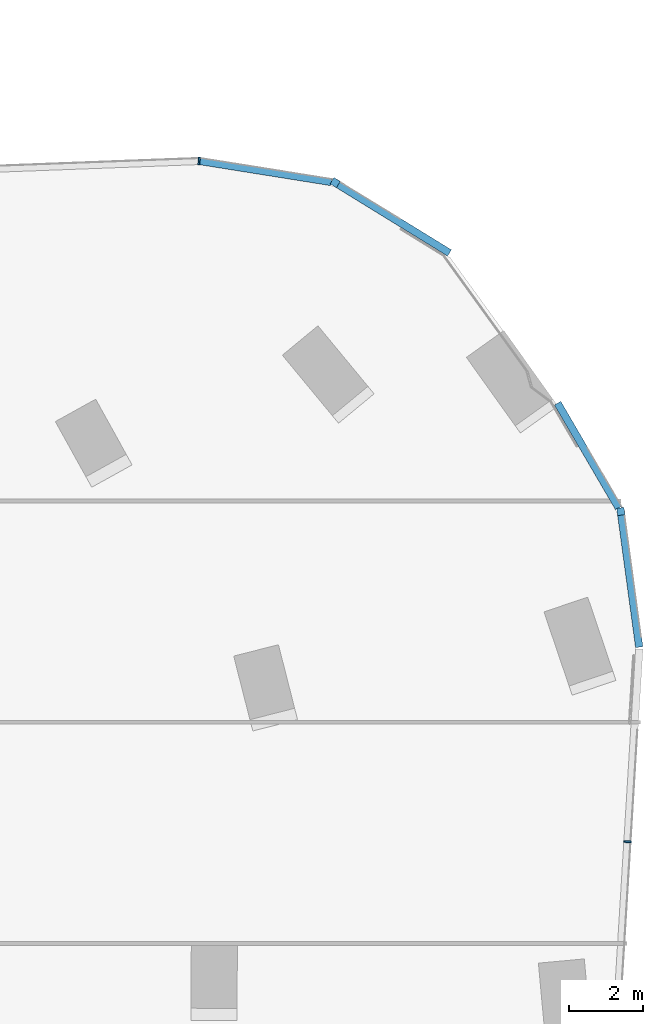
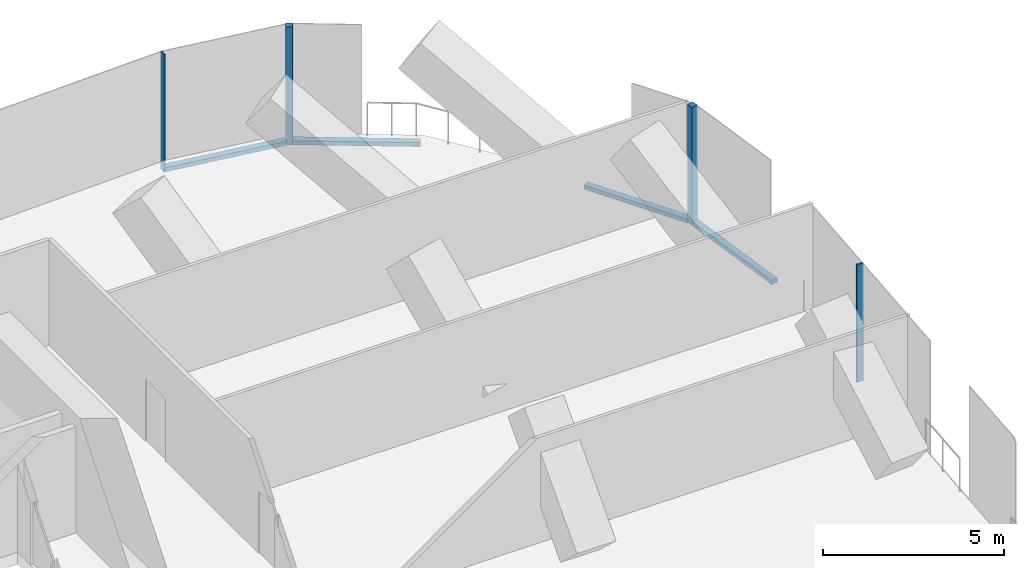
# One storey, part 12 of 28: 8 members, 5 elements without a shape of their own.
"""IFC4 building model written with IfcOpenShell, lengths in metres."""

from ifc_helpers import new_model, si_unit, direction, frame, origin, origin_2d, place, context, subcontext, project, spatial, rectangle, extrude, material, material_profile, profile_set, type_object, element, aggregate, save


model = new_model("IFC4")

# Units and contexts
model_context = context("Model", 3, precision=1e-05, world=origin(), true_north=direction((0.0, 1.0)))
body_context = subcontext(model_context, "Body", "Model", "MODEL_VIEW")
ifc_project = project(units=[si_unit("LENGTHUNIT", "METRE"), si_unit("AREAUNIT", "SQUARE_METRE"), si_unit("VOLUMEUNIT", "CUBIC_METRE"), si_unit("PLANEANGLEUNIT", "RADIAN"), si_unit("MASSUNIT", "GRAM", prefix="KILO")], contexts=[model_context])

# Site, building, storey
site_placement = place(None, origin())
site = spatial("IfcSite", under=ifc_project, at=site_placement, CompositionType="ELEMENT")
building_placement = place(site_placement, origin())
building = spatial("IfcBuilding", under=site, at=building_placement, Name="Orlundy Tower", CompositionType="ELEMENT")
storey_placement = place(building_placement, frame((0.0, 0.0, 163.10009765625)))
storey = spatial("IfcBuildingStorey", under=building, at=storey_placement, Name="L42", CompositionType="ELEMENT", Elevation=163.10009765625)

# Curtain wall, member
ifc_material_1 = material(Name="Aluminium bronze anodised", Category="aluminium")
curtain_wall_type = type_object("IfcCurtainWallType", Name="CW5 wall", PredefinedType="NOTDEFINED", material=ifc_material_1)
curtain_wall_1_placement = place(storey_placement, origin())
curtain_wall_1 = element("IfcCurtainWall", 1, at=curtain_wall_1_placement, inside=storey, type_object=curtain_wall_type, Name="CW5 run 017", PredefinedType="NOTDEFINED")
ifc_material_2 = material(Name="Aluminium bronze anodised", Category="aluminium")
ifc_material_profile_1 = material_profile(ifc_material_2, rectangle(XDim=0.199951171875, YDim=0.199951171875, at=origin_2d()), Name="CW5 corner post 200x200")
ifc_profile_set_1 = profile_set([ifc_material_profile_1], Name="Aluminium bronze anodised")
member_type_1 = type_object("IfcMemberType", Name="CW5 corner post 200x200", PredefinedType="MULLION", material=ifc_profile_set_1)
member_1_placement = place(storey_placement, frame((32.91845703125, 20.630615234375, -0.400146484375), z_axis=(0.0, 0.0, 1.0), x_axis=(0.523946886645, 0.85175093776, 0.0)))
member_1 = element("IfcMember", 2, at=member_1_placement, type_object=member_type_1, Name="CW5 mullion 25", PredefinedType="MULLION", context=body_context, shape_type="SweptSolid", body=[
    extrude(rectangle(XDim=0.199951171875, YDim=0.199951171875, at=origin_2d()), origin(), (0.0, 0.0, 1.0), 3.97998046875),
])

curtain_wall_2_placement = place(storey_placement, origin())
curtain_wall_2 = element("IfcCurtainWall", 3, at=curtain_wall_2_placement, inside=storey, type_object=curtain_wall_type, Name="CW5 run 022", PredefinedType="NOTDEFINED")
member_2_placement = place(storey_placement, frame((40.662353515625, 11.714111328125, -0.400146484375), z_axis=(0.0, 0.0, 1.0), x_axis=(0.990897352983, 0.134619596829, 0.0)))
member_2 = element("IfcMember", 4, at=member_2_placement, type_object=member_type_1, Name="CW5 mullion 30", PredefinedType="MULLION", context=body_context, shape_type="SweptSolid", body=[
    extrude(rectangle(XDim=0.199951171875, YDim=0.199951171875, at=origin_2d()), origin(), (0.0, 0.0, 1.0), 3.97998046875),
])

curtain_wall_3_placement = place(storey_placement, origin())
curtain_wall_3 = element("IfcCurtainWall", 5, at=curtain_wall_3_placement, inside=storey, type_object=curtain_wall_type, Name="CW5 run 016", PredefinedType="NOTDEFINED")
ifc_material_3 = material(Name="Aluminium bronze anodised", Category="aluminium")
ifc_material_profile_2 = material_profile(ifc_material_3, rectangle(XDim=0.199951171875, YDim=0.050048828125, at=origin_2d()), Name="CW5 mullion 50x200")
ifc_profile_set_2 = profile_set([ifc_material_profile_2], Name="Aluminium bronze anodised")
member_type_2 = type_object("IfcMemberType", Name="CW5 mullion 50x200", PredefinedType="MULLION", material=ifc_profile_set_2)
member_3_placement = place(storey_placement, frame((29.22802734375, 21.22021484375, -0.400146484375), z_axis=(0.0, 0.0, 1.0), x_axis=(0.060255295177, 0.998182998955, 0.0)))
member_3 = element("IfcMember", 6, at=member_3_placement, type_object=member_type_2, Name="CW5 mullion 24", PredefinedType="MULLION", context=body_context, shape_type="SweptSolid", body=[
    extrude(rectangle(XDim=0.199951171875, YDim=0.050048828125, at=origin_2d()), origin(), (0.0, 0.0, 1.0), 3.97998046875),
])

curtain_wall_4_placement = place(storey_placement, origin())
curtain_wall_4 = element("IfcCurtainWall", 7, at=curtain_wall_4_placement, inside=storey, type_object=curtain_wall_type, Name="CW5 run 023", PredefinedType="NOTDEFINED")
member_4_placement = place(storey_placement, frame((40.84423828125, 2.76171875, -0.400146484375), z_axis=(0.0, 0.0, 1.0), x_axis=(0.998134884544, -0.061047131434, 0.0)))
member_4 = element("IfcMember", 8, at=member_4_placement, type_object=member_type_2, Name="CW5 mullion 32", PredefinedType="MULLION", context=body_context, shape_type="SweptSolid", body=[
    extrude(rectangle(XDim=0.199951171875, YDim=0.050048828125, at=origin_2d()), origin(), (0.0, 0.0, 1.0), 3.97998046875),
])
aggregate(curtain_wall_4, [member_4])

# Member
ifc_material_4 = material(Name="Aluminium bronze anodised", Category="aluminium")
ifc_material_profile_3 = material_profile(ifc_material_4, rectangle(XDim=0.199951171875, YDim=0.139892578125, at=origin_2d()), Name="CW5 transom 200x140")
ifc_profile_set_3 = profile_set([ifc_material_profile_3], Name="Aluminium bronze anodised")
member_type_3 = type_object("IfcMemberType", Name="CW5 transom 200x140", PredefinedType="USERDEFINED", material=ifc_profile_set_3)
member_5_placement = place(storey_placement, frame((29.2529296875, 21.21630859375, -0.330078125), z_axis=(0.98747400754, -0.157781762044, 0.0), x_axis=(0.157781762044, 0.98747400754, 0.0)))
member_5 = element("IfcMember", 9, at=member_5_placement, type_object=member_type_3, Name="CW5 transom", ObjectType="TRANSOM", PredefinedType="USERDEFINED", context=body_context, shape_type="SweptSolid", body=[
    extrude(rectangle(XDim=0.199951171875, YDim=0.139892578125, at=origin_2d()), origin(), (0.0, 0.0, 1.0), 3.603759765625),
])

aggregate(curtain_wall_3, [member_3, member_5])

member_6_placement = place(storey_placement, frame((33.003662109375, 20.578125, -0.330078125), z_axis=(0.851741231726, -0.52396266487, 0.0), x_axis=(0.52396266487, 0.851741231726, 0.0)))
member_6 = element("IfcMember", 10, at=member_6_placement, type_object=member_type_3, Name="CW5 transom", ObjectType="TRANSOM", PredefinedType="USERDEFINED", context=body_context, shape_type="SweptSolid", body=[
    extrude(rectangle(XDim=0.199951171875, YDim=0.139892578125, at=origin_2d()), origin(), (0.0, 0.0, 1.0), 3.537841796875),
])

aggregate(curtain_wall_1, [member_1, member_6])

# Curtain wall, member
curtain_wall_5_placement = place(storey_placement, origin())
curtain_wall_5 = element("IfcCurtainWall", 11, at=curtain_wall_5_placement, inside=storey, type_object=curtain_wall_type, Name="CW5 run 021", PredefinedType="NOTDEFINED")
member_7_placement = place(storey_placement, frame((38.948974609375, 14.651123046875, -0.330078125), z_axis=(0.503921745942, -0.863749311992, 0.0), x_axis=(0.863749311992, 0.503921745942, 0.0)))
member_7 = element("IfcMember", 12, at=member_7_placement, type_object=member_type_3, Name="CW5 transom", ObjectType="TRANSOM", PredefinedType="USERDEFINED", context=body_context, shape_type="SweptSolid", body=[
    extrude(rectangle(XDim=0.199951171875, YDim=0.139892578125, at=origin_2d()), origin(), (0.0, 0.0, 1.0), 3.2919921875),
])
aggregate(curtain_wall_5, [member_7])

# Member
member_8_placement = place(storey_placement, frame((40.67578125, 11.614990234375, -0.330078125), z_axis=(0.134669711554, -0.990890543294, 0.0), x_axis=(0.990890543294, 0.134669711554, 0.0)))
member_8 = element("IfcMember", 13, at=member_8_placement, type_object=member_type_3, Name="CW5 transom", ObjectType="TRANSOM", PredefinedType="USERDEFINED", context=body_context, shape_type="SweptSolid", body=[
    extrude(rectangle(XDim=0.199951171875, YDim=0.139892578125, at=origin_2d()), origin(), (0.0, 0.0, 1.0), 3.611328125),
])

aggregate(curtain_wall_2, [member_2, member_8])

save(model, "model.ifc")
